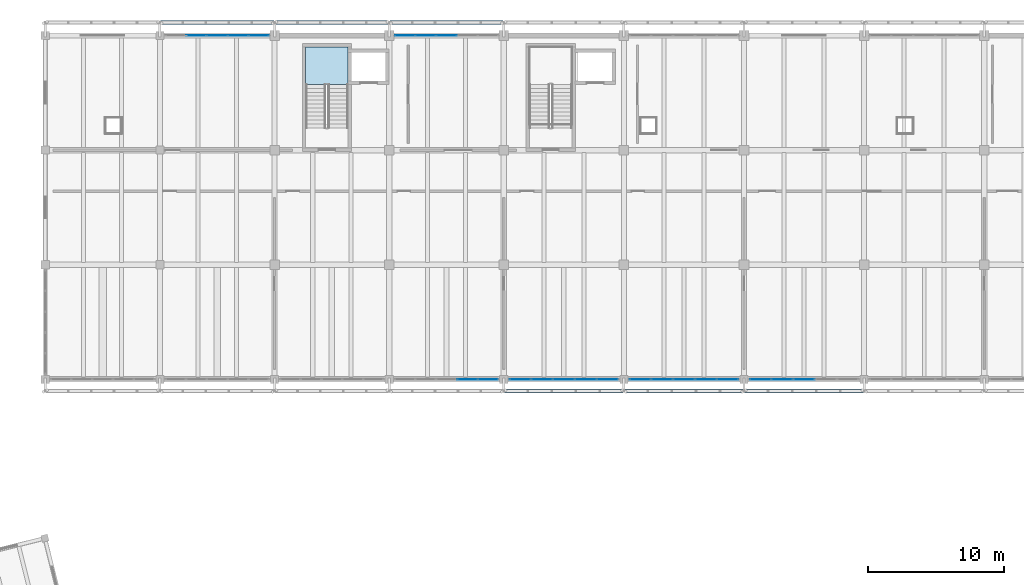
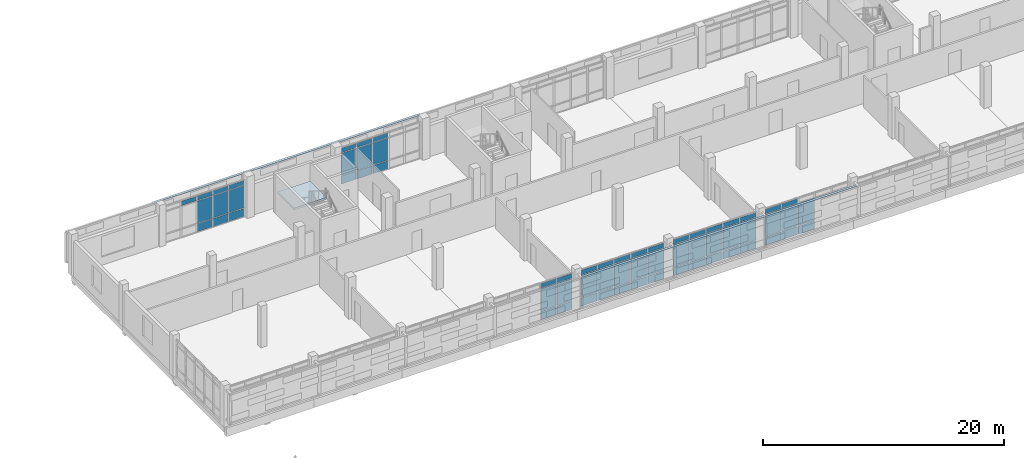
# One storey, part 100 of 137: 69 plates, 1 slab, 7 elements without a shape of their own.
"""IFC4 building model written with IfcOpenShell, lengths in metres."""

from ifc_helpers import new_model, si_unit, direction, frame, origin, origin_2d, place, context, subcontext, project, spatial, polyline, rectangle, outline, extrude, material, layer, layer_set, type_object, element, aggregate, save


model = new_model("IFC4")

# Units and contexts
model_context = context("Model", 3, precision=1e-05, world=origin(), true_north=direction((0.0, 1.0)))
body_context = subcontext(model_context, "Body", "Model", "MODEL_VIEW")
ifc_project = project(units=[si_unit("LENGTHUNIT", "METRE"), si_unit("AREAUNIT", "SQUARE_METRE"), si_unit("VOLUMEUNIT", "CUBIC_METRE"), si_unit("PLANEANGLEUNIT", "RADIAN"), si_unit("MASSUNIT", "GRAM", prefix="KILO")], contexts=[model_context])

# Site, building, storey
site_placement = place(None, origin())
site = spatial("IfcSite", under=ifc_project, at=site_placement, CompositionType="ELEMENT")
building_placement = place(site_placement, origin())
building = spatial("IfcBuilding", under=site, at=building_placement, Name="Cinderway Yard Community Centre", CompositionType="ELEMENT")
storey_placement = place(building_placement, frame((0.0, 0.0, 4.800048828125)))
storey = spatial("IfcBuildingStorey", under=building, at=storey_placement, Name="L01", CompositionType="ELEMENT", Elevation=4.800048828125)

# Curtain wall, plates
ifc_material_1 = material(Name="Aluminium 6063-T6", Category="aluminium")
curtain_wall_type_1 = type_object("IfcCurtainWallType", Name="ENV-CW-TYPE-26", PredefinedType="USERDEFINED", material=ifc_material_1)
curtain_wall_1_placement = place(storey_placement, origin())
curtain_wall_1 = element("IfcCurtainWall", 1, at=curtain_wall_1_placement, inside=storey, type_object=curtain_wall_type_1, Name="V4 Street Curtain Wall ENV-CW-L01-ST-0123", ObjectType="GLAZED CURTAIN WALL", PredefinedType="USERDEFINED")
ifc_material_2 = material(Name="Laminated Low-E Glass", Category="glass")
ifc_layer_1 = layer(ifc_material_2, 0.028076171875, Name="Laminated Low-E Glass")
ifc_layer_set_1 = layer_set([ifc_layer_1], Name="Laminated Low-E Glass")
plate_type_1 = type_object("IfcPlateType", Name="ENV-CW-PAN-IGU28", PredefinedType="CURTAIN_PANEL", material=ifc_layer_set_1)
plate_1_placement = place(storey_placement, frame((52.672119140625, 115.199951171875, 3.22998046875), z_axis=(0.0, 0.0, 1.0), x_axis=(1.0, 0.0, 0.0)))
plate_1 = element("IfcPlate", 2, at=plate_1_placement, type_object=plate_type_1, Name="CW-26 panel 2.3", PredefinedType="CURTAIN_PANEL", context=body_context, shape_type="SweptSolid", body=[
    extrude(rectangle(XDim=1.468017578125, YDim=0.028076171875, at=origin_2d()), origin(), (0.0, 0.0, 1.0), 0.4599609375),
])
plate_2_placement = place(storey_placement, frame((54.199951171875, 115.199951171875, 0.059814453125), z_axis=(0.0, 0.0, 1.0), x_axis=(1.0, 0.0, 0.0)))
plate_2 = element("IfcPlate", 3, at=plate_2_placement, type_object=plate_type_1, Name="CW-26 panel 3.1", PredefinedType="CURTAIN_PANEL", context=body_context, shape_type="SweptSolid", body=[
    extrude(rectangle(XDim=1.468017578125, YDim=0.028076171875, at=origin_2d()), origin(), (0.0, 0.0, 1.0), 0.81005859375),
])
plate_3_placement = place(storey_placement, frame((54.199951171875, 115.199951171875, 0.93017578125), z_axis=(0.0, 0.0, 1.0), x_axis=(1.0, 0.0, 0.0)))
plate_3 = element("IfcPlate", 4, at=plate_3_placement, type_object=plate_type_1, Name="CW-26 panel 3.2", PredefinedType="CURTAIN_PANEL", context=body_context, shape_type="SweptSolid", body=[
    extrude(rectangle(XDim=1.468017578125, YDim=0.028076171875, at=origin_2d()), origin(), (0.0, 0.0, 1.0), 2.239990234375),
])
plate_4_placement = place(storey_placement, frame((54.199951171875, 115.199951171875, 3.22998046875), z_axis=(0.0, 0.0, 1.0), x_axis=(1.0, 0.0, 0.0)))
plate_4 = element("IfcPlate", 5, at=plate_4_placement, type_object=plate_type_1, Name="CW-26 panel 3.3", PredefinedType="CURTAIN_PANEL", context=body_context, shape_type="SweptSolid", body=[
    extrude(rectangle(XDim=1.468017578125, YDim=0.028076171875, at=origin_2d()), origin(), (0.0, 0.0, 1.0), 0.4599609375),
])
plate_5_placement = place(storey_placement, frame((55.72802734375, 115.199951171875, 0.059814453125), z_axis=(0.0, 0.0, 1.0), x_axis=(1.0, 0.0, 0.0)))
plate_5 = element("IfcPlate", 6, at=plate_5_placement, type_object=plate_type_1, Name="CW-26 panel 4.1", PredefinedType="CURTAIN_PANEL", context=body_context, shape_type="SweptSolid", body=[
    extrude(rectangle(XDim=1.468017578125, YDim=0.028076171875, at=origin_2d()), origin(), (0.0, 0.0, 1.0), 0.81005859375),
])
plate_6_placement = place(storey_placement, frame((55.72802734375, 115.199951171875, 0.93017578125), z_axis=(0.0, 0.0, 1.0), x_axis=(1.0, 0.0, 0.0)))
plate_6 = element("IfcPlate", 7, at=plate_6_placement, type_object=plate_type_1, Name="CW-26 panel 4.2", PredefinedType="CURTAIN_PANEL", context=body_context, shape_type="SweptSolid", body=[
    extrude(rectangle(XDim=1.468017578125, YDim=0.028076171875, at=origin_2d()), origin(), (0.0, 0.0, 1.0), 2.239990234375),
])
plate_7_placement = place(storey_placement, frame((55.72802734375, 115.199951171875, 3.22998046875), z_axis=(0.0, 0.0, 1.0), x_axis=(1.0, 0.0, 0.0)))
plate_7 = element("IfcPlate", 8, at=plate_7_placement, type_object=plate_type_1, Name="CW-26 panel 4.3", PredefinedType="CURTAIN_PANEL", context=body_context, shape_type="SweptSolid", body=[
    extrude(rectangle(XDim=1.468017578125, YDim=0.028076171875, at=origin_2d()), origin(), (0.0, 0.0, 1.0), 0.4599609375),
])
plate_8_placement = place(storey_placement, frame((57.240966796875, 115.199951171875, 0.059814453125), z_axis=(0.0, 0.0, 1.0), x_axis=(1.0, 0.0, 0.0)))
plate_8 = element("IfcPlate", 9, at=plate_8_placement, type_object=plate_type_1, Name="CW-26 panel 5.1", PredefinedType="CURTAIN_PANEL", context=body_context, shape_type="SweptSolid", body=[
    extrude(rectangle(XDim=1.43798828125, YDim=0.028076171875, at=origin_2d()), origin(), (0.0, 0.0, 1.0), 0.81005859375),
])
plate_9_placement = place(storey_placement, frame((57.240966796875, 115.199951171875, 0.93017578125), z_axis=(0.0, 0.0, 1.0), x_axis=(1.0, 0.0, 0.0)))
plate_9 = element("IfcPlate", 10, at=plate_9_placement, type_object=plate_type_1, Name="CW-26 panel 5.2", PredefinedType="CURTAIN_PANEL", context=body_context, shape_type="SweptSolid", body=[
    extrude(rectangle(XDim=1.43798828125, YDim=0.028076171875, at=origin_2d()), origin(), (0.0, 0.0, 1.0), 2.239990234375),
])
plate_10_placement = place(storey_placement, frame((57.240966796875, 115.199951171875, 3.22998046875), z_axis=(0.0, 0.0, 1.0), x_axis=(1.0, 0.0, 0.0)))
plate_10 = element("IfcPlate", 11, at=plate_10_placement, type_object=plate_type_1, Name="CW-26 panel 5.3", PredefinedType="CURTAIN_PANEL", context=body_context, shape_type="SweptSolid", body=[
    extrude(rectangle(XDim=1.43798828125, YDim=0.028076171875, at=origin_2d()), origin(), (0.0, 0.0, 1.0), 0.4599609375),
])
aggregate(curtain_wall_1, [plate_1, plate_2, plate_3, plate_4, plate_5, plate_6, plate_7, plate_8, plate_9, plate_10])

curtain_wall_2_placement = place(storey_placement, origin())
curtain_wall_2 = element("IfcCurtainWall", 12, at=curtain_wall_2_placement, inside=storey, type_object=curtain_wall_type_1, Name="V4 Street Curtain Wall ENV-CW-L01-ST-0126", ObjectType="GLAZED CURTAIN WALL", PredefinedType="USERDEFINED")
plate_11_placement = place(storey_placement, frame((67.958984375, 115.199951171875, 0.059814453125), z_axis=(0.0, 0.0, 1.0), x_axis=(1.0, 0.0, 0.0)))
plate_11 = element("IfcPlate", 13, at=plate_11_placement, type_object=plate_type_1, Name="CW-26 panel 1.1", PredefinedType="CURTAIN_PANEL", context=body_context, shape_type="SweptSolid", body=[
    extrude(rectangle(XDim=1.43798828125, YDim=0.028076171875, at=origin_2d()), origin(), (0.0, 0.0, 1.0), 0.81005859375),
])
plate_12_placement = place(storey_placement, frame((67.958984375, 115.199951171875, 0.93017578125), z_axis=(0.0, 0.0, 1.0), x_axis=(1.0, 0.0, 0.0)))
plate_12 = element("IfcPlate", 14, at=plate_12_placement, type_object=plate_type_1, Name="CW-26 panel 1.2", PredefinedType="CURTAIN_PANEL", context=body_context, shape_type="SweptSolid", body=[
    extrude(rectangle(XDim=1.43798828125, YDim=0.028076171875, at=origin_2d()), origin(), (0.0, 0.0, 1.0), 2.239990234375),
])
plate_13_placement = place(storey_placement, frame((67.958984375, 115.199951171875, 3.22998046875), z_axis=(0.0, 0.0, 1.0), x_axis=(1.0, 0.0, 0.0)))
plate_13 = element("IfcPlate", 15, at=plate_13_placement, type_object=plate_type_1, Name="CW-26 panel 1.3", PredefinedType="CURTAIN_PANEL", context=body_context, shape_type="SweptSolid", body=[
    extrude(rectangle(XDim=1.43798828125, YDim=0.028076171875, at=origin_2d()), origin(), (0.0, 0.0, 1.0), 0.4599609375),
])
plate_14_placement = place(storey_placement, frame((69.471923828125, 115.199951171875, 0.059814453125), z_axis=(0.0, 0.0, 1.0), x_axis=(1.0, 0.0, 0.0)))
plate_14 = element("IfcPlate", 16, at=plate_14_placement, type_object=plate_type_1, Name="CW-26 panel 2.1", PredefinedType="CURTAIN_PANEL", context=body_context, shape_type="SweptSolid", body=[
    extrude(rectangle(XDim=1.468017578125, YDim=0.028076171875, at=origin_2d()), origin(), (0.0, 0.0, 1.0), 0.81005859375),
])
plate_15_placement = place(storey_placement, frame((69.471923828125, 115.199951171875, 0.93017578125), z_axis=(0.0, 0.0, 1.0), x_axis=(1.0, 0.0, 0.0)))
plate_15 = element("IfcPlate", 17, at=plate_15_placement, type_object=plate_type_1, Name="CW-26 panel 2.2", PredefinedType="CURTAIN_PANEL", context=body_context, shape_type="SweptSolid", body=[
    extrude(rectangle(XDim=1.468017578125, YDim=0.028076171875, at=origin_2d()), origin(), (0.0, 0.0, 1.0), 2.239990234375),
])
plate_16_placement = place(storey_placement, frame((69.471923828125, 115.199951171875, 3.22998046875), z_axis=(0.0, 0.0, 1.0), x_axis=(1.0, 0.0, 0.0)))
plate_16 = element("IfcPlate", 18, at=plate_16_placement, type_object=plate_type_1, Name="CW-26 panel 2.3", PredefinedType="CURTAIN_PANEL", context=body_context, shape_type="SweptSolid", body=[
    extrude(rectangle(XDim=1.468017578125, YDim=0.028076171875, at=origin_2d()), origin(), (0.0, 0.0, 1.0), 0.4599609375),
])
plate_17_placement = place(storey_placement, frame((71.0, 115.199951171875, 0.059814453125), z_axis=(0.0, 0.0, 1.0), x_axis=(1.0, 0.0, 0.0)))
plate_17 = element("IfcPlate", 19, at=plate_17_placement, type_object=plate_type_1, Name="CW-26 panel 3.1", PredefinedType="CURTAIN_PANEL", context=body_context, shape_type="SweptSolid", body=[
    extrude(rectangle(XDim=1.468017578125, YDim=0.028076171875, at=origin_2d()), origin(), (0.0, 0.0, 1.0), 0.81005859375),
])
plate_18_placement = place(storey_placement, frame((71.0, 115.199951171875, 0.93017578125), z_axis=(0.0, 0.0, 1.0), x_axis=(1.0, 0.0, 0.0)))
plate_18 = element("IfcPlate", 20, at=plate_18_placement, type_object=plate_type_1, Name="CW-26 panel 3.2", PredefinedType="CURTAIN_PANEL", context=body_context, shape_type="SweptSolid", body=[
    extrude(rectangle(XDim=1.468017578125, YDim=0.028076171875, at=origin_2d()), origin(), (0.0, 0.0, 1.0), 2.239990234375),
])
plate_19_placement = place(storey_placement, frame((71.0, 115.199951171875, 3.22998046875), z_axis=(0.0, 0.0, 1.0), x_axis=(1.0, 0.0, 0.0)))
plate_19 = element("IfcPlate", 21, at=plate_19_placement, type_object=plate_type_1, Name="CW-26 panel 3.3", PredefinedType="CURTAIN_PANEL", context=body_context, shape_type="SweptSolid", body=[
    extrude(rectangle(XDim=1.468017578125, YDim=0.028076171875, at=origin_2d()), origin(), (0.0, 0.0, 1.0), 0.4599609375),
])
aggregate(curtain_wall_2, [plate_11, plate_12, plate_13, plate_14, plate_15, plate_16, plate_17, plate_18, plate_19])

curtain_wall_3_placement = place(storey_placement, origin())
curtain_wall_3 = element("IfcCurtainWall", 22, at=curtain_wall_3_placement, inside=storey, type_object=curtain_wall_type_1, Name="V4 Courtyard Curtain Wall ENV-CW-L01-ST-0127", ObjectType="GLAZED CURTAIN WALL", PredefinedType="USERDEFINED")
plate_20_placement = place(storey_placement, frame((72.528076171875, 90.0, 0.059814453125), z_axis=(0.0, 0.0, 1.0), x_axis=(1.0, 0.0, 0.0)))
plate_20 = element("IfcPlate", 23, at=plate_20_placement, type_object=plate_type_1, Name="CW-26 panel 4.1", PredefinedType="CURTAIN_PANEL", context=body_context, shape_type="SweptSolid", body=[
    extrude(rectangle(XDim=1.468017578125, YDim=0.028076171875, at=origin_2d()), origin(), (0.0, 0.0, 1.0), 0.81005859375),
])
plate_21_placement = place(storey_placement, frame((72.528076171875, 90.0, 0.93017578125), z_axis=(0.0, 0.0, 1.0), x_axis=(1.0, 0.0, 0.0)))
plate_21 = element("IfcPlate", 24, at=plate_21_placement, type_object=plate_type_1, Name="CW-26 panel 4.2", PredefinedType="CURTAIN_PANEL", context=body_context, shape_type="SweptSolid", body=[
    extrude(rectangle(XDim=1.468017578125, YDim=0.028076171875, at=origin_2d()), origin(), (0.0, 0.0, 1.0), 2.239990234375),
])
plate_22_placement = place(storey_placement, frame((72.528076171875, 90.0, 3.22998046875), z_axis=(0.0, 0.0, 1.0), x_axis=(1.0, 0.0, 0.0)))
plate_22 = element("IfcPlate", 25, at=plate_22_placement, type_object=plate_type_1, Name="CW-26 panel 4.3", PredefinedType="CURTAIN_PANEL", context=body_context, shape_type="SweptSolid", body=[
    extrude(rectangle(XDim=1.468017578125, YDim=0.028076171875, at=origin_2d()), origin(), (0.0, 0.0, 1.0), 0.4599609375),
])
plate_23_placement = place(storey_placement, frame((74.041015625, 90.0, 0.059814453125), z_axis=(0.0, 0.0, 1.0), x_axis=(1.0, 0.0, 0.0)))
plate_23 = element("IfcPlate", 26, at=plate_23_placement, type_object=plate_type_1, Name="CW-26 panel 5.1", PredefinedType="CURTAIN_PANEL", context=body_context, shape_type="SweptSolid", body=[
    extrude(rectangle(XDim=1.43798828125, YDim=0.028076171875, at=origin_2d()), origin(), (0.0, 0.0, 1.0), 0.81005859375),
])
plate_24_placement = place(storey_placement, frame((74.041015625, 90.0, 0.93017578125), z_axis=(0.0, 0.0, 1.0), x_axis=(1.0, 0.0, 0.0)))
plate_24 = element("IfcPlate", 27, at=plate_24_placement, type_object=plate_type_1, Name="CW-26 panel 5.2", PredefinedType="CURTAIN_PANEL", context=body_context, shape_type="SweptSolid", body=[
    extrude(rectangle(XDim=1.43798828125, YDim=0.028076171875, at=origin_2d()), origin(), (0.0, 0.0, 1.0), 2.239990234375),
])
plate_25_placement = place(storey_placement, frame((74.041015625, 90.0, 3.22998046875), z_axis=(0.0, 0.0, 1.0), x_axis=(1.0, 0.0, 0.0)))
plate_25 = element("IfcPlate", 28, at=plate_25_placement, type_object=plate_type_1, Name="CW-26 panel 5.3", PredefinedType="CURTAIN_PANEL", context=body_context, shape_type="SweptSolid", body=[
    extrude(rectangle(XDim=1.43798828125, YDim=0.028076171875, at=origin_2d()), origin(), (0.0, 0.0, 1.0), 0.4599609375),
])
aggregate(curtain_wall_3, [plate_20, plate_21, plate_22, plate_23, plate_24, plate_25])

curtain_wall_type_2 = type_object("IfcCurtainWallType", Name="ENV-CW-TYPE-27", PredefinedType="USERDEFINED", material=ifc_material_1)
curtain_wall_4_placement = place(storey_placement, origin())
curtain_wall_4 = element("IfcCurtainWall", 29, at=curtain_wall_4_placement, inside=storey, type_object=curtain_wall_type_2, Name="V4 Courtyard Curtain Wall ENV-CW-L01-ST-0128", ObjectType="GLAZED CURTAIN WALL", PredefinedType="USERDEFINED")
plate_26_placement = place(storey_placement, frame((76.39892578125, 90.0, 0.059814453125), z_axis=(0.0, 0.0, 1.0), x_axis=(1.0, 0.0, 0.0)))
plate_26 = element("IfcPlate", 30, at=plate_26_placement, type_object=plate_type_1, Name="CW-27 panel 1.1", PredefinedType="CURTAIN_PANEL", context=body_context, shape_type="SweptSolid", body=[
    extrude(rectangle(XDim=1.51806640625, YDim=0.028076171875, at=origin_2d()), origin(), (0.0, 0.0, 1.0), 0.81005859375),
])
plate_27_placement = place(storey_placement, frame((76.39892578125, 90.0, 0.93017578125), z_axis=(0.0, 0.0, 1.0), x_axis=(1.0, 0.0, 0.0)))
plate_27 = element("IfcPlate", 31, at=plate_27_placement, type_object=plate_type_1, Name="CW-27 panel 1.2", PredefinedType="CURTAIN_PANEL", context=body_context, shape_type="SweptSolid", body=[
    extrude(rectangle(XDim=1.51806640625, YDim=0.028076171875, at=origin_2d()), origin(), (0.0, 0.0, 1.0), 2.239990234375),
])
plate_28_placement = place(storey_placement, frame((76.39892578125, 90.0, 3.22998046875), z_axis=(0.0, 0.0, 1.0), x_axis=(1.0, 0.0, 0.0)))
plate_28 = element("IfcPlate", 32, at=plate_28_placement, type_object=plate_type_1, Name="CW-27 panel 1.3", PredefinedType="CURTAIN_PANEL", context=body_context, shape_type="SweptSolid", body=[
    extrude(rectangle(XDim=1.51806640625, YDim=0.028076171875, at=origin_2d()), origin(), (0.0, 0.0, 1.0), 0.4599609375),
])
plate_29_placement = place(storey_placement, frame((77.991943359375, 90.0, 0.059814453125), z_axis=(0.0, 0.0, 1.0), x_axis=(1.0, 0.0, 0.0)))
plate_29 = element("IfcPlate", 33, at=plate_29_placement, type_object=plate_type_1, Name="CW-27 panel 2.1", PredefinedType="CURTAIN_PANEL", context=body_context, shape_type="SweptSolid", body=[
    extrude(rectangle(XDim=1.548095703125, YDim=0.028076171875, at=origin_2d()), origin(), (0.0, 0.0, 1.0), 0.81005859375),
])
plate_30_placement = place(storey_placement, frame((77.991943359375, 90.0, 0.93017578125), z_axis=(0.0, 0.0, 1.0), x_axis=(1.0, 0.0, 0.0)))
plate_30 = element("IfcPlate", 34, at=plate_30_placement, type_object=plate_type_1, Name="CW-27 panel 2.2", PredefinedType="CURTAIN_PANEL", context=body_context, shape_type="SweptSolid", body=[
    extrude(rectangle(XDim=1.548095703125, YDim=0.028076171875, at=origin_2d()), origin(), (0.0, 0.0, 1.0), 2.239990234375),
])
plate_31_placement = place(storey_placement, frame((77.991943359375, 90.0, 3.22998046875), z_axis=(0.0, 0.0, 1.0), x_axis=(1.0, 0.0, 0.0)))
plate_31 = element("IfcPlate", 35, at=plate_31_placement, type_object=plate_type_1, Name="CW-27 panel 2.3", PredefinedType="CURTAIN_PANEL", context=body_context, shape_type="SweptSolid", body=[
    extrude(rectangle(XDim=1.548095703125, YDim=0.028076171875, at=origin_2d()), origin(), (0.0, 0.0, 1.0), 0.4599609375),
])
plate_32_placement = place(storey_placement, frame((79.60009765625, 90.0, 0.059814453125), z_axis=(0.0, 0.0, 1.0), x_axis=(1.0, 0.0, 0.0)))
plate_32 = element("IfcPlate", 36, at=plate_32_placement, type_object=plate_type_1, Name="CW-27 panel 3.1", PredefinedType="CURTAIN_PANEL", context=body_context, shape_type="SweptSolid", body=[
    extrude(rectangle(XDim=1.548095703125, YDim=0.028076171875, at=origin_2d()), origin(), (0.0, 0.0, 1.0), 0.81005859375),
])
plate_33_placement = place(storey_placement, frame((79.60009765625, 90.0, 0.93017578125), z_axis=(0.0, 0.0, 1.0), x_axis=(1.0, 0.0, 0.0)))
plate_33 = element("IfcPlate", 37, at=plate_33_placement, type_object=plate_type_1, Name="CW-27 panel 3.2", PredefinedType="CURTAIN_PANEL", context=body_context, shape_type="SweptSolid", body=[
    extrude(rectangle(XDim=1.548095703125, YDim=0.028076171875, at=origin_2d()), origin(), (0.0, 0.0, 1.0), 2.239990234375),
])
plate_34_placement = place(storey_placement, frame((79.60009765625, 90.0, 3.22998046875), z_axis=(0.0, 0.0, 1.0), x_axis=(1.0, 0.0, 0.0)))
plate_34 = element("IfcPlate", 38, at=plate_34_placement, type_object=plate_type_1, Name="CW-27 panel 3.3", PredefinedType="CURTAIN_PANEL", context=body_context, shape_type="SweptSolid", body=[
    extrude(rectangle(XDim=1.548095703125, YDim=0.028076171875, at=origin_2d()), origin(), (0.0, 0.0, 1.0), 0.4599609375),
])
plate_35_placement = place(storey_placement, frame((81.2080078125, 90.0, 0.059814453125), z_axis=(0.0, 0.0, 1.0), x_axis=(1.0, 0.0, 0.0)))
plate_35 = element("IfcPlate", 39, at=plate_35_placement, type_object=plate_type_1, Name="CW-27 panel 4.1", PredefinedType="CURTAIN_PANEL", context=body_context, shape_type="SweptSolid", body=[
    extrude(rectangle(XDim=1.548095703125, YDim=0.028076171875, at=origin_2d()), origin(), (0.0, 0.0, 1.0), 0.81005859375),
])
plate_36_placement = place(storey_placement, frame((81.2080078125, 90.0, 0.93017578125), z_axis=(0.0, 0.0, 1.0), x_axis=(1.0, 0.0, 0.0)))
plate_36 = element("IfcPlate", 40, at=plate_36_placement, type_object=plate_type_1, Name="CW-27 panel 4.2", PredefinedType="CURTAIN_PANEL", context=body_context, shape_type="SweptSolid", body=[
    extrude(rectangle(XDim=1.548095703125, YDim=0.028076171875, at=origin_2d()), origin(), (0.0, 0.0, 1.0), 2.239990234375),
])
plate_37_placement = place(storey_placement, frame((81.2080078125, 90.0, 3.22998046875), z_axis=(0.0, 0.0, 1.0), x_axis=(1.0, 0.0, 0.0)))
plate_37 = element("IfcPlate", 41, at=plate_37_placement, type_object=plate_type_1, Name="CW-27 panel 4.3", PredefinedType="CURTAIN_PANEL", context=body_context, shape_type="SweptSolid", body=[
    extrude(rectangle(XDim=1.548095703125, YDim=0.028076171875, at=origin_2d()), origin(), (0.0, 0.0, 1.0), 0.4599609375),
])
plate_38_placement = place(storey_placement, frame((82.801025390625, 90.0, 0.059814453125), z_axis=(0.0, 0.0, 1.0), x_axis=(1.0, 0.0, 0.0)))
plate_38 = element("IfcPlate", 42, at=plate_38_placement, type_object=plate_type_1, Name="CW-27 panel 5.1", PredefinedType="CURTAIN_PANEL", context=body_context, shape_type="SweptSolid", body=[
    extrude(rectangle(XDim=1.51806640625, YDim=0.028076171875, at=origin_2d()), origin(), (0.0, 0.0, 1.0), 0.81005859375),
])
plate_39_placement = place(storey_placement, frame((82.801025390625, 90.0, 0.93017578125), z_axis=(0.0, 0.0, 1.0), x_axis=(1.0, 0.0, 0.0)))
plate_39 = element("IfcPlate", 43, at=plate_39_placement, type_object=plate_type_1, Name="CW-27 panel 5.2", PredefinedType="CURTAIN_PANEL", context=body_context, shape_type="SweptSolid", body=[
    extrude(rectangle(XDim=1.51806640625, YDim=0.028076171875, at=origin_2d()), origin(), (0.0, 0.0, 1.0), 2.239990234375),
])
plate_40_placement = place(storey_placement, frame((82.801025390625, 90.0, 3.22998046875), z_axis=(0.0, 0.0, 1.0), x_axis=(1.0, 0.0, 0.0)))
plate_40 = element("IfcPlate", 44, at=plate_40_placement, type_object=plate_type_1, Name="CW-27 panel 5.3", PredefinedType="CURTAIN_PANEL", context=body_context, shape_type="SweptSolid", body=[
    extrude(rectangle(XDim=1.51806640625, YDim=0.028076171875, at=origin_2d()), origin(), (0.0, 0.0, 1.0), 0.4599609375),
])
aggregate(curtain_wall_4, [plate_26, plate_27, plate_28, plate_29, plate_30, plate_31, plate_32, plate_33, plate_34, plate_35, plate_36, plate_37, plate_38, plate_39, plate_40])

curtain_wall_5_placement = place(storey_placement, origin())
curtain_wall_5 = element("IfcCurtainWall", 45, at=curtain_wall_5_placement, inside=storey, type_object=curtain_wall_type_2, Name="V4 Courtyard Curtain Wall ENV-CW-L01-ST-0130", ObjectType="GLAZED CURTAIN WALL", PredefinedType="USERDEFINED")
plate_41_placement = place(storey_placement, frame((85.198974609375, 90.0, 0.059814453125), z_axis=(0.0, 0.0, 1.0), x_axis=(1.0, 0.0, 0.0)))
plate_41 = element("IfcPlate", 46, at=plate_41_placement, type_object=plate_type_1, Name="CW-27 panel 1.1", PredefinedType="CURTAIN_PANEL", context=body_context, shape_type="SweptSolid", body=[
    extrude(rectangle(XDim=1.51806640625, YDim=0.028076171875, at=origin_2d()), origin(), (0.0, 0.0, 1.0), 0.81005859375),
])
plate_42_placement = place(storey_placement, frame((85.198974609375, 90.0, 0.93017578125), z_axis=(0.0, 0.0, 1.0), x_axis=(1.0, 0.0, 0.0)))
plate_42 = element("IfcPlate", 47, at=plate_42_placement, type_object=plate_type_1, Name="CW-27 panel 1.2", PredefinedType="CURTAIN_PANEL", context=body_context, shape_type="SweptSolid", body=[
    extrude(rectangle(XDim=1.51806640625, YDim=0.028076171875, at=origin_2d()), origin(), (0.0, 0.0, 1.0), 2.239990234375),
])
plate_43_placement = place(storey_placement, frame((85.198974609375, 90.0, 3.22998046875), z_axis=(0.0, 0.0, 1.0), x_axis=(1.0, 0.0, 0.0)))
plate_43 = element("IfcPlate", 48, at=plate_43_placement, type_object=plate_type_1, Name="CW-27 panel 1.3", PredefinedType="CURTAIN_PANEL", context=body_context, shape_type="SweptSolid", body=[
    extrude(rectangle(XDim=1.51806640625, YDim=0.028076171875, at=origin_2d()), origin(), (0.0, 0.0, 1.0), 0.4599609375),
])
plate_44_placement = place(storey_placement, frame((86.7919921875, 90.0, 0.059814453125), z_axis=(0.0, 0.0, 1.0), x_axis=(1.0, 0.0, 0.0)))
plate_44 = element("IfcPlate", 49, at=plate_44_placement, type_object=plate_type_1, Name="CW-27 panel 2.1", PredefinedType="CURTAIN_PANEL", context=body_context, shape_type="SweptSolid", body=[
    extrude(rectangle(XDim=1.548095703125, YDim=0.028076171875, at=origin_2d()), origin(), (0.0, 0.0, 1.0), 0.81005859375),
])
plate_45_placement = place(storey_placement, frame((86.7919921875, 90.0, 0.93017578125), z_axis=(0.0, 0.0, 1.0), x_axis=(1.0, 0.0, 0.0)))
plate_45 = element("IfcPlate", 50, at=plate_45_placement, type_object=plate_type_1, Name="CW-27 panel 2.2", PredefinedType="CURTAIN_PANEL", context=body_context, shape_type="SweptSolid", body=[
    extrude(rectangle(XDim=1.548095703125, YDim=0.028076171875, at=origin_2d()), origin(), (0.0, 0.0, 1.0), 2.239990234375),
])
plate_46_placement = place(storey_placement, frame((86.7919921875, 90.0, 3.22998046875), z_axis=(0.0, 0.0, 1.0), x_axis=(1.0, 0.0, 0.0)))
plate_46 = element("IfcPlate", 51, at=plate_46_placement, type_object=plate_type_1, Name="CW-27 panel 2.3", PredefinedType="CURTAIN_PANEL", context=body_context, shape_type="SweptSolid", body=[
    extrude(rectangle(XDim=1.548095703125, YDim=0.028076171875, at=origin_2d()), origin(), (0.0, 0.0, 1.0), 0.4599609375),
])
plate_47_placement = place(storey_placement, frame((88.39990234375, 90.0, 0.059814453125), z_axis=(0.0, 0.0, 1.0), x_axis=(1.0, 0.0, 0.0)))
plate_47 = element("IfcPlate", 52, at=plate_47_placement, type_object=plate_type_1, Name="CW-27 panel 3.1", PredefinedType="CURTAIN_PANEL", context=body_context, shape_type="SweptSolid", body=[
    extrude(rectangle(XDim=1.548095703125, YDim=0.028076171875, at=origin_2d()), origin(), (0.0, 0.0, 1.0), 0.81005859375),
])
plate_48_placement = place(storey_placement, frame((88.39990234375, 90.0, 0.93017578125), z_axis=(0.0, 0.0, 1.0), x_axis=(1.0, 0.0, 0.0)))
plate_48 = element("IfcPlate", 53, at=plate_48_placement, type_object=plate_type_1, Name="CW-27 panel 3.2", PredefinedType="CURTAIN_PANEL", context=body_context, shape_type="SweptSolid", body=[
    extrude(rectangle(XDim=1.548095703125, YDim=0.028076171875, at=origin_2d()), origin(), (0.0, 0.0, 1.0), 2.239990234375),
])
plate_49_placement = place(storey_placement, frame((88.39990234375, 90.0, 3.22998046875), z_axis=(0.0, 0.0, 1.0), x_axis=(1.0, 0.0, 0.0)))
plate_49 = element("IfcPlate", 54, at=plate_49_placement, type_object=plate_type_1, Name="CW-27 panel 3.3", PredefinedType="CURTAIN_PANEL", context=body_context, shape_type="SweptSolid", body=[
    extrude(rectangle(XDim=1.548095703125, YDim=0.028076171875, at=origin_2d()), origin(), (0.0, 0.0, 1.0), 0.4599609375),
])
plate_50_placement = place(storey_placement, frame((90.008056640625, 90.0, 0.059814453125), z_axis=(0.0, 0.0, 1.0), x_axis=(1.0, 0.0, 0.0)))
plate_50 = element("IfcPlate", 55, at=plate_50_placement, type_object=plate_type_1, Name="CW-27 panel 4.1", PredefinedType="CURTAIN_PANEL", context=body_context, shape_type="SweptSolid", body=[
    extrude(rectangle(XDim=1.548095703125, YDim=0.028076171875, at=origin_2d()), origin(), (0.0, 0.0, 1.0), 0.81005859375),
])
plate_51_placement = place(storey_placement, frame((90.008056640625, 90.0, 0.93017578125), z_axis=(0.0, 0.0, 1.0), x_axis=(1.0, 0.0, 0.0)))
plate_51 = element("IfcPlate", 56, at=plate_51_placement, type_object=plate_type_1, Name="CW-27 panel 4.2", PredefinedType="CURTAIN_PANEL", context=body_context, shape_type="SweptSolid", body=[
    extrude(rectangle(XDim=1.548095703125, YDim=0.028076171875, at=origin_2d()), origin(), (0.0, 0.0, 1.0), 2.239990234375),
])
plate_52_placement = place(storey_placement, frame((90.008056640625, 90.0, 3.22998046875), z_axis=(0.0, 0.0, 1.0), x_axis=(1.0, 0.0, 0.0)))
plate_52 = element("IfcPlate", 57, at=plate_52_placement, type_object=plate_type_1, Name="CW-27 panel 4.3", PredefinedType="CURTAIN_PANEL", context=body_context, shape_type="SweptSolid", body=[
    extrude(rectangle(XDim=1.548095703125, YDim=0.028076171875, at=origin_2d()), origin(), (0.0, 0.0, 1.0), 0.4599609375),
])
plate_53_placement = place(storey_placement, frame((91.60107421875, 90.0, 0.059814453125), z_axis=(0.0, 0.0, 1.0), x_axis=(1.0, 0.0, 0.0)))
plate_53 = element("IfcPlate", 58, at=plate_53_placement, type_object=plate_type_1, Name="CW-27 panel 5.1", PredefinedType="CURTAIN_PANEL", context=body_context, shape_type="SweptSolid", body=[
    extrude(rectangle(XDim=1.51806640625, YDim=0.028076171875, at=origin_2d()), origin(), (0.0, 0.0, 1.0), 0.81005859375),
])
plate_54_placement = place(storey_placement, frame((91.60107421875, 90.0, 0.93017578125), z_axis=(0.0, 0.0, 1.0), x_axis=(1.0, 0.0, 0.0)))
plate_54 = element("IfcPlate", 59, at=plate_54_placement, type_object=plate_type_1, Name="CW-27 panel 5.2", PredefinedType="CURTAIN_PANEL", context=body_context, shape_type="SweptSolid", body=[
    extrude(rectangle(XDim=1.51806640625, YDim=0.028076171875, at=origin_2d()), origin(), (0.0, 0.0, 1.0), 2.239990234375),
])
plate_55_placement = place(storey_placement, frame((91.60107421875, 90.0, 3.22998046875), z_axis=(0.0, 0.0, 1.0), x_axis=(1.0, 0.0, 0.0)))
plate_55 = element("IfcPlate", 60, at=plate_55_placement, type_object=plate_type_1, Name="CW-27 panel 5.3", PredefinedType="CURTAIN_PANEL", context=body_context, shape_type="SweptSolid", body=[
    extrude(rectangle(XDim=1.51806640625, YDim=0.028076171875, at=origin_2d()), origin(), (0.0, 0.0, 1.0), 0.4599609375),
])
aggregate(curtain_wall_5, [plate_41, plate_42, plate_43, plate_44, plate_45, plate_46, plate_47, plate_48, plate_49, plate_50, plate_51, plate_52, plate_53, plate_54, plate_55])

curtain_wall_6_placement = place(storey_placement, origin())
curtain_wall_6 = element("IfcCurtainWall", 61, at=curtain_wall_6_placement, inside=storey, type_object=curtain_wall_type_2, Name="V4 Courtyard Curtain Wall ENV-CW-L01-ST-0131", ObjectType="GLAZED CURTAIN WALL", PredefinedType="USERDEFINED")
plate_56_placement = place(storey_placement, frame((93.9990234375, 90.0, 0.059814453125), z_axis=(0.0, 0.0, 1.0), x_axis=(1.0, 0.0, 0.0)))
plate_56 = element("IfcPlate", 62, at=plate_56_placement, type_object=plate_type_1, Name="CW-27 panel 1.1", PredefinedType="CURTAIN_PANEL", context=body_context, shape_type="SweptSolid", body=[
    extrude(rectangle(XDim=1.51806640625, YDim=0.028076171875, at=origin_2d()), origin(), (0.0, 0.0, 1.0), 0.81005859375),
])
plate_57_placement = place(storey_placement, frame((93.9990234375, 90.0, 0.93017578125), z_axis=(0.0, 0.0, 1.0), x_axis=(1.0, 0.0, 0.0)))
plate_57 = element("IfcPlate", 63, at=plate_57_placement, type_object=plate_type_1, Name="CW-27 panel 1.2", PredefinedType="CURTAIN_PANEL", context=body_context, shape_type="SweptSolid", body=[
    extrude(rectangle(XDim=1.51806640625, YDim=0.028076171875, at=origin_2d()), origin(), (0.0, 0.0, 1.0), 2.239990234375),
])
plate_58_placement = place(storey_placement, frame((93.9990234375, 90.0, 3.22998046875), z_axis=(0.0, 0.0, 1.0), x_axis=(1.0, 0.0, 0.0)))
plate_58 = element("IfcPlate", 64, at=plate_58_placement, type_object=plate_type_1, Name="CW-27 panel 1.3", PredefinedType="CURTAIN_PANEL", context=body_context, shape_type="SweptSolid", body=[
    extrude(rectangle(XDim=1.51806640625, YDim=0.028076171875, at=origin_2d()), origin(), (0.0, 0.0, 1.0), 0.4599609375),
])
plate_59_placement = place(storey_placement, frame((95.592041015625, 90.0, 0.059814453125), z_axis=(0.0, 0.0, 1.0), x_axis=(1.0, 0.0, 0.0)))
plate_59 = element("IfcPlate", 65, at=plate_59_placement, type_object=plate_type_1, Name="CW-27 panel 2.1", PredefinedType="CURTAIN_PANEL", context=body_context, shape_type="SweptSolid", body=[
    extrude(rectangle(XDim=1.548095703125, YDim=0.028076171875, at=origin_2d()), origin(), (0.0, 0.0, 1.0), 0.81005859375),
])
plate_60_placement = place(storey_placement, frame((95.592041015625, 90.0, 0.93017578125), z_axis=(0.0, 0.0, 1.0), x_axis=(1.0, 0.0, 0.0)))
plate_60 = element("IfcPlate", 66, at=plate_60_placement, type_object=plate_type_1, Name="CW-27 panel 2.2", PredefinedType="CURTAIN_PANEL", context=body_context, shape_type="SweptSolid", body=[
    extrude(rectangle(XDim=1.548095703125, YDim=0.028076171875, at=origin_2d()), origin(), (0.0, 0.0, 1.0), 2.239990234375),
])
plate_61_placement = place(storey_placement, frame((95.592041015625, 90.0, 3.22998046875), z_axis=(0.0, 0.0, 1.0), x_axis=(1.0, 0.0, 0.0)))
plate_61 = element("IfcPlate", 67, at=plate_61_placement, type_object=plate_type_1, Name="CW-27 panel 2.3", PredefinedType="CURTAIN_PANEL", context=body_context, shape_type="SweptSolid", body=[
    extrude(rectangle(XDim=1.548095703125, YDim=0.028076171875, at=origin_2d()), origin(), (0.0, 0.0, 1.0), 0.4599609375),
])
plate_62_placement = place(storey_placement, frame((97.199951171875, 90.0, 0.059814453125), z_axis=(0.0, 0.0, 1.0), x_axis=(1.0, 0.0, 0.0)))
plate_62 = element("IfcPlate", 68, at=plate_62_placement, type_object=plate_type_1, Name="CW-27 panel 3.1", PredefinedType="CURTAIN_PANEL", context=body_context, shape_type="SweptSolid", body=[
    extrude(rectangle(XDim=1.548095703125, YDim=0.028076171875, at=origin_2d()), origin(), (0.0, 0.0, 1.0), 0.81005859375),
])
plate_63_placement = place(storey_placement, frame((97.199951171875, 90.0, 0.93017578125), z_axis=(0.0, 0.0, 1.0), x_axis=(1.0, 0.0, 0.0)))
plate_63 = element("IfcPlate", 69, at=plate_63_placement, type_object=plate_type_1, Name="CW-27 panel 3.2", PredefinedType="CURTAIN_PANEL", context=body_context, shape_type="SweptSolid", body=[
    extrude(rectangle(XDim=1.548095703125, YDim=0.028076171875, at=origin_2d()), origin(), (0.0, 0.0, 1.0), 2.239990234375),
])
aggregate(curtain_wall_6, [plate_56, plate_57, plate_58, plate_59, plate_60, plate_61, plate_62, plate_63])

# Plates
ifc_layer_2 = layer(ifc_material_1, 0.01611328125, Name="Aluminium 6063-T6")
ifc_layer_set_2 = layer_set([ifc_layer_2], Name="Aluminium 6063-T6")
plate_type_2 = type_object("IfcPlateType", Name="ENV-PLT-FASCIA16", PredefinedType="USERDEFINED", material=ifc_layer_set_2)
for number, where, z_axis, x_axis, name in (
    (70, (54.199951171875, 116.14990234375, 3.7119140625), (0.0, 0.0, 1.0), (1.0, 0.0, 0.0), "Screen coping fascia 0002"),
    (71, (62.60009765625, 116.14990234375, 3.7119140625), (0.0, 0.0, 1.0), (1.0, 0.0, 0.0), "Screen coping fascia 0003"),
    (72, (71.0, 116.14990234375, 3.7119140625), (0.0, 0.0, 1.0), (1.0, 0.0, 0.0), "Screen coping fascia 0004"),
):
    element("IfcPlate", number, at=place(storey_placement, frame(where, z_axis=z_axis, x_axis=x_axis)), inside=storey, type_object=plate_type_2, Name=name, ObjectType="FASCIA PLATE", PredefinedType="USERDEFINED", context=body_context, shape_type="SweptSolid", body=[
        extrude(rectangle(XDim=8.300048828125, YDim=0.260009765625, at=origin_2d()), origin(), (0.0, 0.0, 1.0), 0.01611328125),
    ])
for number, where, z_axis, x_axis, name in (
    (73, (79.60009765625, 89.14990234375, 3.7119140625), (0.0, 0.0, 1.0), (-1.0, 0.0, 0.0), "Screen coping fascia 0044"),
    (74, (88.39990234375, 89.14990234375, 3.7119140625), (0.0, 0.0, 1.0), (-1.0, 0.0, 0.0), "Screen coping fascia 0045"),
    (75, (97.199951171875, 89.14990234375, 3.7119140625), (0.0, 0.0, 1.0), (-1.0, 0.0, 0.0), "Screen coping fascia 0046"),
):
    element("IfcPlate", number, at=place(storey_placement, frame(where, z_axis=z_axis, x_axis=x_axis)), inside=storey, type_object=plate_type_2, Name=name, ObjectType="FASCIA PLATE", PredefinedType="USERDEFINED", context=body_context, shape_type="SweptSolid", body=[
        extrude(rectangle(XDim=8.699951171875, YDim=0.260009765625, at=origin_2d()), origin(), (0.0, 0.0, 1.0), 0.01611328125),
    ])

# Stair, slab
ifc_material_3 = material(Name="Concrete C40/50", Category="concrete")
stair_type = type_object("IfcStairType", Name="INT-STR-420A", PredefinedType="HALF_TURN_STAIR", material=ifc_material_3)
stair_placement = place(storey_placement, origin())
stair = element("IfcStair", 76, at=stair_placement, inside=storey, type_object=stair_type, Name="L01 Core C1 Exit Stair ST-01", PredefinedType="HALF_TURN_STAIR")
ifc_layer_3 = layer(ifc_material_3, 0.199951171875, Name="Concrete C40/50")
ifc_layer_set_3 = layer_set([ifc_layer_3], Name="Concrete C40/50")
slab_type = type_object("IfcSlabType", Name="INT-SLB-LND200", PredefinedType="LANDING", material=ifc_layer_set_3)
slab_placement = place(storey_placement, frame((0.0, 0.0, 1.89990234375)))
slab = element("IfcSlab", 77, at=slab_placement, type_object=slab_type, Name="ST-01 landing 1", PredefinedType="LANDING", context=body_context, shape_type="SweptSolid", body=[
    extrude(outline(polyline([(63.800048828125, 111.6201171875), (63.800048828125, 114.35009765625), (60.679931640625, 114.35009765625), (60.679931640625, 111.6201171875), (63.800048828125, 111.6201171875)])), origin(), (0.0, 0.0, 1.0), 0.199951171875),
])
aggregate(stair, [slab])

save(model, "model.ifc")
